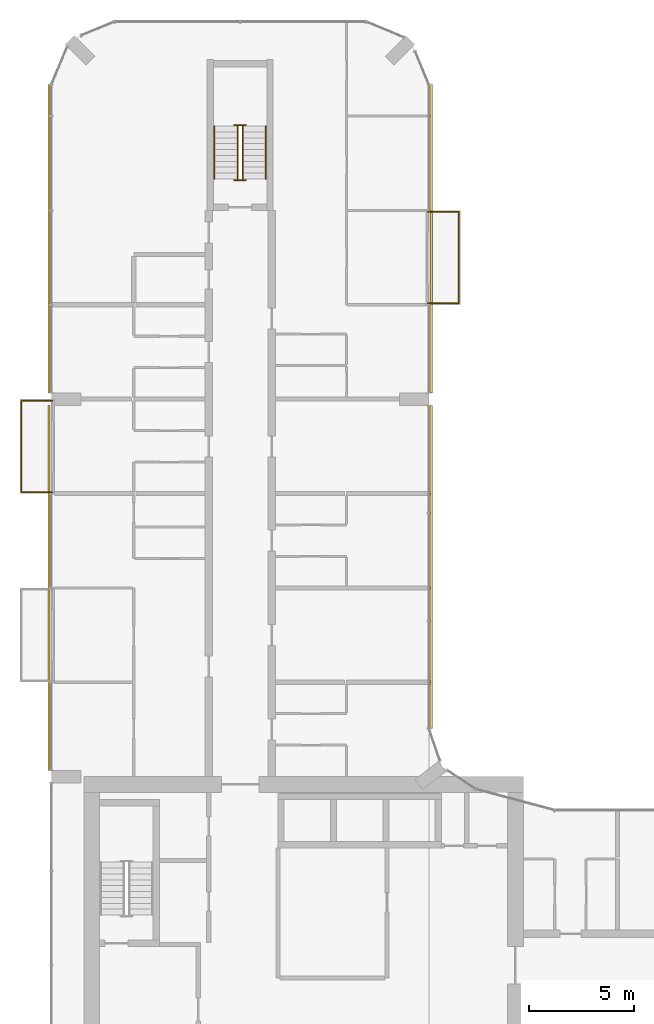
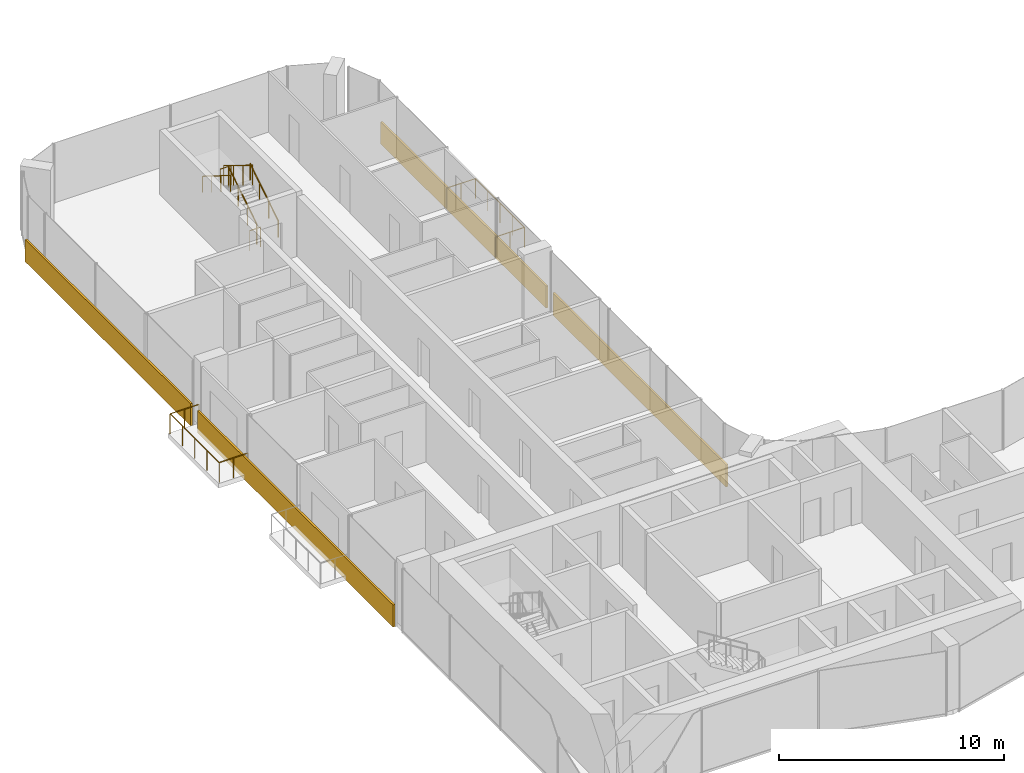
# One storey, part 23 of 24: 8 railings, 4 coverings.
"""IFC4 building model written with IfcOpenShell, lengths in metres."""

from ifc_helpers import new_model, si_unit, direction, frame, origin, origin_2d, place, context, subcontext, project, spatial, rectangle, circle, extrude, material, layer, layer_set, type_object, element, save


model = new_model("IFC4")

# Units and contexts
model_context = context("Model", 3, precision=1e-05, world=origin(), true_north=direction((0.0, 1.0)))
body_context = subcontext(model_context, "Body", "Model", "MODEL_VIEW")
ifc_project = project(units=[si_unit("LENGTHUNIT", "METRE"), si_unit("AREAUNIT", "SQUARE_METRE"), si_unit("VOLUMEUNIT", "CUBIC_METRE"), si_unit("PLANEANGLEUNIT", "RADIAN"), si_unit("MASSUNIT", "GRAM", prefix="KILO")], contexts=[model_context])

# Site, building, storey
site_placement = place(None, origin())
site = spatial("IfcSite", under=ifc_project, at=site_placement, CompositionType="ELEMENT")
building_placement = place(site_placement, origin())
building = spatial("IfcBuilding", under=site, at=building_placement, Name="Plateau Cross Towers", CompositionType="ELEMENT")
storey_placement = place(building_placement, frame((0.0, 0.0, 51.300048828125)))
storey = spatial("IfcBuildingStorey", under=building, at=storey_placement, Name="L12", CompositionType="ELEMENT", Elevation=51.300048828125)

# Railings
ifc_material_1 = material(Name="Stainless steel and toughened glass", Category="steel")
railing_type_1 = type_object("IfcRailingType", Name="Glass balustrade guard 1100", PredefinedType="GUARDRAIL", material=ifc_material_1)
railing_1_placement = place(storey_placement, frame((0.050048828125, 31.570068359375, 0.0)))
element("IfcRailing", 1, at=railing_1_placement, inside=storey, type_object=railing_type_1, Name="Guard guard1", PredefinedType="GUARDRAIL", context=body_context, shape_type="SweptSolid", body=[
    extrude(circle(Radius=0.02392578125, at=origin_2d()), frame((0.0, 0.0, 1.076171875), z_axis=(-1.0, 0.0, 0.0), x_axis=(0.0, -1.0, 0.0)), (0.0, 0.0, 1.0), 1.47998046875),
    extrude(circle(Radius=0.02392578125, at=origin_2d()), frame((-1.47998046875, 0.0, 1.076171875), z_axis=(0.0, 1.0, 0.0), x_axis=(-1.0, 0.0, 0.0)), (0.0, 0.0, 1.0), 4.35986328125),
    extrude(circle(Radius=0.02392578125, at=origin_2d()), frame((-1.47998046875, 4.35986328125, 1.076171875), z_axis=(1.0, 0.0, 0.0), x_axis=(0.0, 1.0, 0.0)), (0.0, 0.0, 1.0), 1.47998046875),
    extrude(circle(Radius=0.02099609375, at=origin_2d()), origin(), (0.0, 0.0, 1.0), 1.052001953125),
    extrude(circle(Radius=0.02099609375, at=origin_2d()), frame((-0.739990234375, 0.0, 0.0)), (0.0, 0.0, 1.0), 1.052001953125),
    extrude(circle(Radius=0.02099609375, at=origin_2d()), frame((-1.47998046875, 0.0, 0.0)), (0.0, 0.0, 1.0), 1.052001953125),
    extrude(circle(Radius=0.02099609375, at=origin_2d()), frame((-1.47998046875, 1.08984375, 0.0)), (0.0, 0.0, 1.0), 1.052001953125),
    extrude(circle(Radius=0.02099609375, at=origin_2d()), frame((-1.47998046875, 2.179931640625, 0.0)), (0.0, 0.0, 1.0), 1.052001953125),
    extrude(circle(Radius=0.02099609375, at=origin_2d()), frame((-1.47998046875, 3.27001953125, 0.0)), (0.0, 0.0, 1.0), 1.052001953125),
    extrude(circle(Radius=0.02099609375, at=origin_2d()), frame((-1.47998046875, 4.35986328125, 0.0)), (0.0, 0.0, 1.0), 1.052001953125),
    extrude(circle(Radius=0.02099609375, at=origin_2d()), frame((-0.739990234375, 4.35986328125, 0.0)), (0.0, 0.0, 1.0), 1.052001953125),
    extrude(circle(Radius=0.02099609375, at=origin_2d()), frame((0.0, 4.35986328125, 0.0)), (0.0, 0.0, 1.0), 1.052001953125),
])
railing_2_placement = place(storey_placement, frame((17.949951171875, 44.929931640625, 0.0)))
element("IfcRailing", 2, at=railing_2_placement, inside=storey, type_object=railing_type_1, Name="Guard guard1", PredefinedType="GUARDRAIL", context=body_context, shape_type="SweptSolid", body=[
    extrude(circle(Radius=0.02392578125, at=origin_2d()), frame((0.0, 0.0, 1.076171875), z_axis=(1.0, 0.0, 0.0), x_axis=(0.0, 1.0, 0.0)), (0.0, 0.0, 1.0), 1.47998046875),
    extrude(circle(Radius=0.02392578125, at=origin_2d()), frame((1.47998046875, 0.0, 1.076171875), z_axis=(0.0, -1.0, 0.0), x_axis=(1.0, 0.0, 0.0)), (0.0, 0.0, 1.0), 4.35986328125),
    extrude(circle(Radius=0.02392578125, at=origin_2d()), frame((1.47998046875, -4.35986328125, 1.076171875), z_axis=(-1.0, 0.0, 0.0), x_axis=(0.0, -1.0, 0.0)), (0.0, 0.0, 1.0), 1.47998046875),
    extrude(circle(Radius=0.02099609375, at=origin_2d()), origin(), (0.0, 0.0, 1.0), 1.052001953125),
    extrude(circle(Radius=0.02099609375, at=origin_2d()), frame((0.739990234375, 0.0, 0.0)), (0.0, 0.0, 1.0), 1.052001953125),
    extrude(circle(Radius=0.02099609375, at=origin_2d()), frame((1.47998046875, 0.0, 0.0)), (0.0, 0.0, 1.0), 1.052001953125),
    extrude(circle(Radius=0.02099609375, at=origin_2d()), frame((1.47998046875, -1.08984375, 0.0)), (0.0, 0.0, 1.0), 1.052001953125),
    extrude(circle(Radius=0.02099609375, at=origin_2d()), frame((1.47998046875, -2.179931640625, 0.0)), (0.0, 0.0, 1.0), 1.052001953125),
    extrude(circle(Radius=0.02099609375, at=origin_2d()), frame((1.47998046875, -3.27001953125, 0.0)), (0.0, 0.0, 1.0), 1.052001953125),
    extrude(circle(Radius=0.02099609375, at=origin_2d()), frame((1.47998046875, -4.35986328125, 0.0)), (0.0, 0.0, 1.0), 1.052001953125),
    extrude(circle(Radius=0.02099609375, at=origin_2d()), frame((0.739990234375, -4.35986328125, 0.0)), (0.0, 0.0, 1.0), 1.052001953125),
    extrude(circle(Radius=0.02099609375, at=origin_2d()), frame((0.0, -4.35986328125, 0.0)), (0.0, 0.0, 1.0), 1.052001953125),
])
railing_type_2 = type_object("IfcRailingType", Name="RL-GUARD-1100", PredefinedType="GUARDRAIL", material=ifc_material_1)
railing_3_placement = place(storey_placement, frame((9.125, 46.5, 0.175048828125)))
element("IfcRailing", 3, at=railing_3_placement, inside=storey, type_object=railing_type_2, Name="L12 ES-N stair guard 1", PredefinedType="GUARDRAIL", context=body_context, shape_type="SweptSolid", body=[
    extrude(circle(Radius=0.02392578125, at=origin_2d()), frame((0.0, 0.0, 1.076171875), z_axis=(0.0, 0.848007534815, 0.529984170421), x_axis=(-1.0, 0.0, 0.0)), (0.0, 0.0, 1.0), 2.9716796875),
    extrude(circle(Radius=0.02099609375, at=origin_2d()), origin(), (0.0, 0.0, 1.0), 1.052001953125),
    extrude(circle(Radius=0.02099609375, at=origin_2d()), frame((0.0, 0.840087890625, 0.52490234375)), (0.0, 0.0, 1.0), 1.052001953125),
    extrude(circle(Radius=0.02099609375, at=origin_2d()), frame((0.0, 1.679931640625, 1.050048828125)), (0.0, 0.0, 1.0), 1.052001953125),
    extrude(circle(Radius=0.02099609375, at=origin_2d()), frame((0.0, 2.52001953125, 1.574951171875)), (0.0, 0.0, 1.0), 1.052001953125),
])
railing_4_placement = place(storey_placement, frame((9.27490234375, 49.070068359375, 1.75)))
element("IfcRailing", 4, at=railing_4_placement, inside=storey, type_object=railing_type_2, Name="L12 ES-N stair guard 2", PredefinedType="GUARDRAIL", context=body_context, shape_type="SweptSolid", body=[
    extrude(circle(Radius=0.02392578125, at=origin_2d()), frame((0.0, 0.0, 1.076171875), z_axis=(-1.0, 0.0, 0.0), x_axis=(0.0, -1.0, 0.0)), (0.0, 0.0, 1.0), 0.5498046875),
    extrude(circle(Radius=0.02099609375, at=origin_2d()), origin(), (0.0, 0.0, 1.0), 1.052001953125),
    extrude(circle(Radius=0.02099609375, at=origin_2d()), frame((-0.5498046875, 0.0, 0.0)), (0.0, 0.0, 1.0), 1.052001953125),
])
railing_5_placement = place(storey_placement, frame((8.875, 49.02001953125, 1.925048828125)))
element("IfcRailing", 5, at=railing_5_placement, inside=storey, type_object=railing_type_2, Name="L12 ES-N stair guard 3", PredefinedType="GUARDRAIL", context=body_context, shape_type="SweptSolid", body=[
    extrude(circle(Radius=0.02392578125, at=origin_2d()), frame((0.0, 0.0, 1.076171875), z_axis=(0.0, -0.852638500773, 0.522501279423), x_axis=(1.0, 0.0, 0.0)), (0.0, 0.0, 1.0), 3.01416015625),
    extrude(circle(Radius=0.02099609375, at=origin_2d()), origin(), (0.0, 0.0, 1.0), 1.052001953125),
    extrude(circle(Radius=0.02099609375, at=origin_2d()), frame((0.0, -0.856689453125, 0.52490234375)), (0.0, 0.0, 1.0), 1.052001953125),
    extrude(circle(Radius=0.02099609375, at=origin_2d()), frame((0.0, -1.71337890625, 1.050048828125)), (0.0, 0.0, 1.0), 1.052001953125),
    extrude(circle(Radius=0.02099609375, at=origin_2d()), frame((0.0, -2.570068359375, 1.574951171875)), (0.0, 0.0, 1.0), 1.052001953125),
])
railing_6_placement = place(storey_placement, frame((9.27490234375, 46.449951171875, 0.0)))
element("IfcRailing", 6, at=railing_6_placement, inside=storey, type_object=railing_type_2, Name="L12 ES-N stair guard 4", PredefinedType="GUARDRAIL", context=body_context, shape_type="SweptSolid", body=[
    extrude(circle(Radius=0.02392578125, at=origin_2d()), frame((0.0, 0.0, 1.076171875), z_axis=(-1.0, 0.0, 0.0), x_axis=(0.0, -1.0, 0.0)), (0.0, 0.0, 1.0), 0.5498046875),
    extrude(circle(Radius=0.02099609375, at=origin_2d()), origin(), (0.0, 0.0, 1.0), 1.052001953125),
    extrude(circle(Radius=0.02099609375, at=origin_2d()), frame((-0.5498046875, 0.0, 0.0)), (0.0, 0.0, 1.0), 1.052001953125),
])
ifc_material_2 = material(Name="Black anodised aluminium", Category="aluminium")
railing_type_3 = type_object("IfcRailingType", Name="RL-HANDRAIL-900", PredefinedType="HANDRAIL", material=ifc_material_2)
railing_7_placement = place(storey_placement, frame((10.22509765625, 46.5, 0.175048828125)))
element("IfcRailing", 7, at=railing_7_placement, inside=storey, type_object=railing_type_3, Name="L12 ES-N stair handrail 1", PredefinedType="HANDRAIL", context=body_context, shape_type="SweptSolid", body=[
    extrude(circle(Radius=0.02392578125, at=origin_2d()), frame((0.0, 0.0, 0.8759765625), z_axis=(0.0, 0.848007534815, 0.529984170421), x_axis=(-1.0, 0.0, 0.0)), (0.0, 0.0, 1.0), 2.9716796875),
    extrude(circle(Radius=0.02099609375, at=origin_2d()), origin(), (0.0, 0.0, 1.0), 0.851806640625),
    extrude(circle(Radius=0.02099609375, at=origin_2d()), frame((0.0, 0.840087890625, 0.52490234375)), (0.0, 0.0, 1.0), 0.851806640625),
    extrude(circle(Radius=0.02099609375, at=origin_2d()), frame((0.0, 1.679931640625, 1.050048828125)), (0.0, 0.0, 1.0), 0.851806640625),
    extrude(circle(Radius=0.02099609375, at=origin_2d()), frame((0.0, 2.52001953125, 1.574951171875)), (0.0, 0.0, 1.0), 0.851806640625),
])
railing_8_placement = place(storey_placement, frame((7.77490234375, 49.02001953125, 1.925048828125)))
element("IfcRailing", 8, at=railing_8_placement, inside=storey, type_object=railing_type_3, Name="L12 ES-N stair handrail 2", PredefinedType="HANDRAIL", context=body_context, shape_type="SweptSolid", body=[
    extrude(circle(Radius=0.02392578125, at=origin_2d()), frame((0.0, 0.0, 0.8759765625), z_axis=(0.0, -0.848007534815, 0.529984170421), x_axis=(1.0, 0.0, 0.0)), (0.0, 0.0, 1.0), 2.9716796875),
    extrude(circle(Radius=0.02099609375, at=origin_2d()), origin(), (0.0, 0.0, 1.0), 0.851806640625),
    extrude(circle(Radius=0.02099609375, at=origin_2d()), frame((0.0, -0.840087890625, 0.52490234375)), (0.0, 0.0, 1.0), 0.851806640625),
    extrude(circle(Radius=0.02099609375, at=origin_2d()), frame((0.0, -1.679931640625, 1.050048828125)), (0.0, 0.0, 1.0), 0.851806640625),
    extrude(circle(Radius=0.02099609375, at=origin_2d()), frame((0.0, -2.52001953125, 1.574951171875)), (0.0, 0.0, 1.0), 0.851806640625),
])

# Coverings
ifc_material_3 = material(Name="Precast concrete cladding C40/50", Category="concrete")
ifc_layer = layer(ifc_material_3, 0.10009765625)
ifc_layer_set = layer_set([ifc_layer], Name="Precast concrete cladding C40/50")
covering_type = type_object("IfcCoveringType", Name="Spandrel band cladding 100x1200", PredefinedType="CLADDING", material=ifc_layer_set)
covering_1_placement = place(storey_placement, frame((18.1201171875, 28.001220703125, -0.25), z_axis=(0.0, 0.0, 1.0), x_axis=(0.0, 1.0, 0.0)))
element("IfcCovering", 9, at=covering_1_placement, inside=storey, type_object=covering_type, Name="Spandrel band", PredefinedType="CLADDING", context=body_context, shape_type="SweptSolid", body=[
    extrude(rectangle(XDim=15.397705078125, YDim=0.10009765625, at=origin_2d()), origin(), (0.0, 0.0, 1.0), 1.199951171875),
])
for number, where, z_axis, x_axis, name in (
    (10, (18.1201171875, 43.64990234375, -0.25), (0.0, 0.0, 1.0), (0.0, 1.0, 0.0), "Spandrel band"),
    (11, (-0.1201171875, 43.64990234375, -0.25), (0.0, 0.0, 1.0), (0.0, -1.0, 0.0), "Spandrel band"),
):
    element("IfcCovering", number, at=place(storey_placement, frame(where, z_axis=z_axis, x_axis=x_axis)), inside=storey, type_object=covering_type, Name=name, PredefinedType="CLADDING", context=body_context, shape_type="SweptSolid", body=[
        extrude(rectangle(XDim=14.699951171875, YDim=0.10009765625, at=origin_2d()), origin(), (0.0, 0.0, 1.0), 1.199951171875),
    ])
covering_2_placement = place(storey_placement, frame((-0.1201171875, 27.0, -0.25), z_axis=(0.0, 0.0, 1.0), x_axis=(0.0, -1.0, 0.0)))
element("IfcCovering", 12, at=covering_2_placement, inside=storey, type_object=covering_type, Name="Spandrel band", PredefinedType="CLADDING", context=body_context, shape_type="SweptSolid", body=[
    extrude(rectangle(XDim=17.39990234375, YDim=0.10009765625, at=origin_2d()), origin(), (0.0, 0.0, 1.0), 1.199951171875),
])

save(model, "model.ifc")
